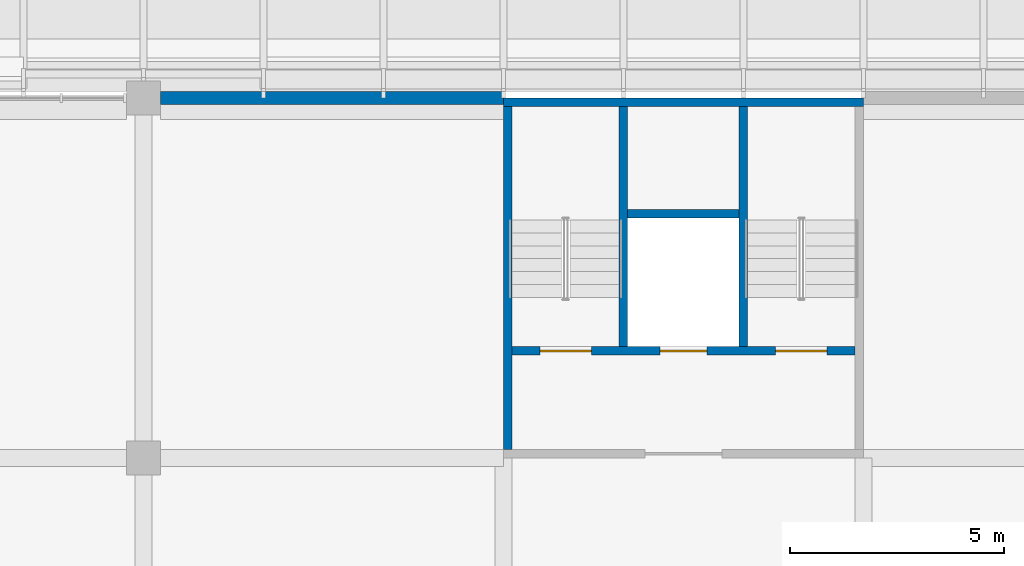
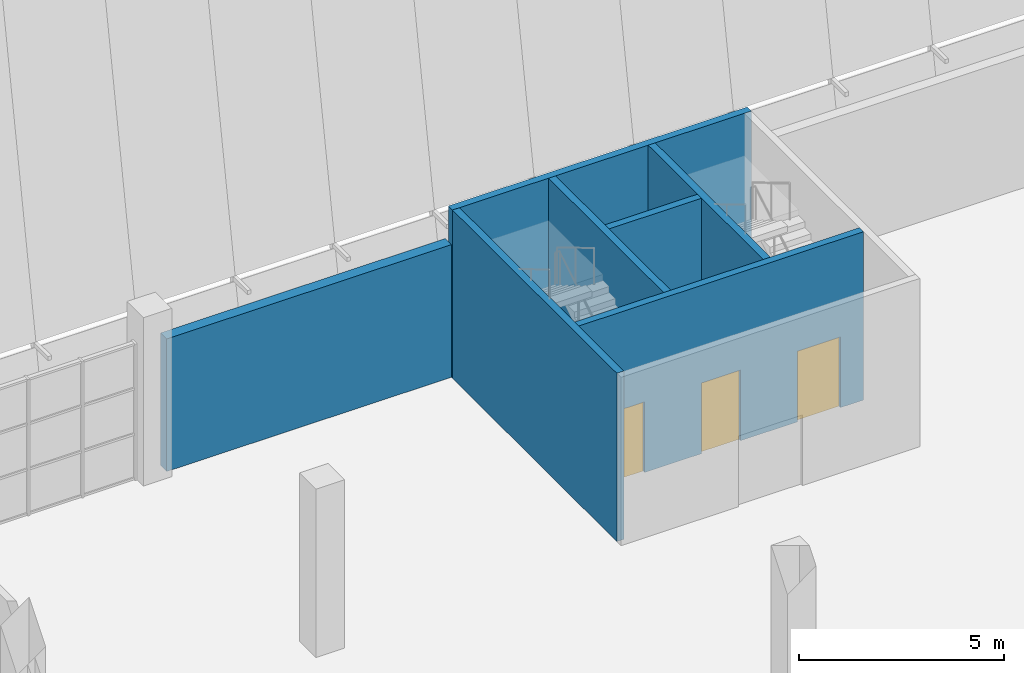
# One storey, part 38 of 101: 7 walls, 3 doors, 3 openings.
"""IFC4 building model written with IfcOpenShell, lengths in metres."""

from ifc_helpers import new_model, si_unit, direction, frame, frame_2d, origin, place, context, subcontext, project, spatial, rectangle, extrude, material, layer, layer_set, type_object, element, fill, save


model = new_model("IFC4")

# Units and contexts
model_context = context("Model", 3, precision=1e-05, world=origin(), true_north=direction((0.0, 1.0)))
body_context = subcontext(model_context, "Body", "Model", "MODEL_VIEW")
ifc_project = project(units=[si_unit("LENGTHUNIT", "METRE"), si_unit("AREAUNIT", "SQUARE_METRE"), si_unit("VOLUMEUNIT", "CUBIC_METRE"), si_unit("PLANEANGLEUNIT", "RADIAN"), si_unit("MASSUNIT", "GRAM", prefix="KILO")], contexts=[model_context])

# Site, building, storey
site_placement = place(None, origin())
site = spatial("IfcSite", under=ifc_project, at=site_placement, CompositionType="ELEMENT")
building_placement = place(site_placement, origin())
building = spatial("IfcBuilding", under=site, at=building_placement, Name="Almond Square Museum", CompositionType="ELEMENT")
storey_placement = place(building_placement, frame((0.0, 0.0, 5.5)))
storey = spatial("IfcBuildingStorey", under=building, at=storey_placement, Name="L01", CompositionType="ELEMENT", Elevation=5.5)

# Walls
ifc_material_1 = material(Name="Concrete C30/37", Category="concrete")
ifc_layer_1 = layer(ifc_material_1, 0.300048828125)
ifc_layer_set_1 = layer_set([ifc_layer_1], Name="Concrete C30/37")
wall_type_1 = type_object("IfcWallType", Name="Cast concrete wall 300 C30/37 behind louvre skin", PredefinedType="SOLIDWALL", material=ifc_layer_set_1)
wall_1_placement = place(storey_placement, frame((115.60009765625, 109.199951171875, 0.0), z_axis=(0.0, 0.0, 1.0), x_axis=(1.0, 0.0, 0.0)))
element("IfcWall", 1, at=wall_1_placement, inside=storey, type_object=wall_type_1, Name="External wall W1 V1 L01 N02", PredefinedType="SOLIDWALL", context=body_context, shape_type="SweptSolid", body=[
    extrude(rectangle(XDim=8.0, YDim=0.300048828125, at=frame_2d((4.0, 0.0))), origin(), (0.0, 0.0, 1.0), 3.93994140625),
])
ifc_material_2 = material(Name="Concrete C40/50", Category="concrete")
ifc_layer_2 = layer(ifc_material_2, 0.199951171875)
ifc_layer_set_2 = layer_set([ifc_layer_2], Name="Concrete C40/50")
wall_type_2 = type_object("IfcWallType", Name="RC shear wall 200 C40/50", PredefinedType="SHEAR", material=ifc_layer_set_2)
wall_2_placement = place(storey_placement, frame((123.60009765625, 109.10009765625, 0.0), z_axis=(0.0, 0.0, 1.0), x_axis=(1.0, 0.0, 0.0)))
element("IfcWall", 2, at=wall_2_placement, inside=storey, type_object=wall_type_2, Name="Core H4 north wall L01", PredefinedType="SHEAR", context=body_context, shape_type="SweptSolid", body=[
    extrude(rectangle(XDim=8.39990234375, YDim=0.199951171875, at=frame_2d((4.199951171875, 0.0))), origin(), (0.0, 0.0, 1.0), 5.0),
])
wall_3_placement = place(storey_placement, frame((123.699951171875, 101.0, 0.0), z_axis=(0.0, 0.0, 1.0), x_axis=(0.0, 1.0, 0.0)))
element("IfcWall", 3, at=wall_3_placement, inside=storey, type_object=wall_type_2, Name="Core H4 west wall L01", PredefinedType="SHEAR", context=body_context, shape_type="SweptSolid", body=[
    extrude(rectangle(XDim=8.0, YDim=0.199951171875, at=frame_2d((4.0, 0.0))), origin(), (0.0, 0.0, 1.0), 5.0),
])

# Wall, openings, doors
wall_4_placement = place(storey_placement, frame((123.800048828125, 103.300048828125, 0.0), z_axis=(0.0, 0.0, 1.0), x_axis=(1.0, 0.0, 0.0)))
wall_4 = element("IfcWall", 4, at=wall_4_placement, inside=storey, type_object=wall_type_2, Name="Core H4 lobby wall L01", PredefinedType="SHEAR", context=body_context, shape_type="SweptSolid", body=[
    extrude(rectangle(XDim=8.0, YDim=0.199951171875, at=frame_2d((4.0, 0.0))), origin(), (0.0, 0.0, 1.0), 5.0),
])
opening_1_placement = place(wall_4_placement, frame((0.64990234375, 0.0, 0.0)))
opening_1 = element("IfcOpeningElement", 5, at=opening_1_placement, cuts=wall_4, Name="Opening D1162", PredefinedType="OPENING", context=body_context, shape_type="SweptSolid", body=[
    extrude(rectangle(XDim=1.199951171875, YDim=2.10009765625, at=frame_2d((0.60009765625, 1.050048828125))), frame((0.0, 0.10986328125, 0.0), z_axis=(0.0, -1.0, 0.0), x_axis=(1.0, 0.0, 0.0)), (0.0, 0.0, 1.0), 0.219970703125),
])
opening_2_placement = place(wall_4_placement, frame((6.14990234375, 0.0, 0.0)))
opening_2 = element("IfcOpeningElement", 6, at=opening_2_placement, cuts=wall_4, Name="Opening D1163", PredefinedType="OPENING", context=body_context, shape_type="SweptSolid", body=[
    extrude(rectangle(XDim=1.199951171875, YDim=2.10009765625, at=frame_2d((0.60009765625, 1.050048828125))), frame((0.0, 0.10986328125, 0.0), z_axis=(0.0, -1.0, 0.0), x_axis=(1.0, 0.0, 0.0)), (0.0, 0.0, 1.0), 0.219970703125),
])
opening_3_placement = place(wall_4_placement, frame((3.449951171875, 0.0, 0.0)))
opening_3 = element("IfcOpeningElement", 7, at=opening_3_placement, cuts=wall_4, Name="Opening D1164", PredefinedType="OPENING", context=body_context, shape_type="SweptSolid", body=[
    extrude(rectangle(XDim=1.10009765625, YDim=2.10009765625, at=frame_2d((0.550048828125, 1.050048828125))), frame((0.0, 0.10986328125, 0.0), z_axis=(0.0, -1.0, 0.0), x_axis=(1.0, 0.0, 0.0)), (0.0, 0.0, 1.0), 0.219970703125),
])
ifc_material_3 = material(Name="Steel", Category="steel")
door_type_1 = type_object("IfcDoorType", Name="Fire door 1200 x 2100 FD120 stair", OperationType="NOTDEFINED", PredefinedType="DOOR", material=ifc_material_3)
door_1_placement = place(opening_1_placement, origin())
door_1 = element("IfcDoor", 8, at=door_1_placement, inside=storey, type_object=door_type_1, Name="L01 stair H4-1 door", OperationType="SINGLE_SWING_LEFT", OverallHeight=2.10009765625, OverallWidth=1.199951171875, PredefinedType="DOOR", context=body_context, shape_type="SweptSolid", body=[
    extrude(rectangle(XDim=1.199951171875, YDim=2.10009765625, at=frame_2d((0.60009765625, 1.050048828125))), frame((0.0, 0.02490234375, 0.0), z_axis=(0.0, -1.0, 0.0), x_axis=(1.0, 0.0, 0.0)), (0.0, 0.0, 1.0), 0.050048828125),
])
fill(opening_1, door_1)
door_2_placement = place(opening_2_placement, origin())
door_2 = element("IfcDoor", 9, at=door_2_placement, inside=storey, type_object=door_type_1, Name="L01 stair H4-2 door", OperationType="SINGLE_SWING_RIGHT", OverallHeight=2.10009765625, OverallWidth=1.199951171875, PredefinedType="DOOR", context=body_context, shape_type="SweptSolid", body=[
    extrude(rectangle(XDim=1.199951171875, YDim=2.10009765625, at=frame_2d((0.60009765625, 1.050048828125))), frame((0.0, 0.02490234375, 0.0), z_axis=(0.0, -1.0, 0.0), x_axis=(1.0, 0.0, 0.0)), (0.0, 0.0, 1.0), 0.050048828125),
])
fill(opening_2, door_2)
ifc_material_4 = material(Name="Stainless steel", Category="steel")
door_type_2 = type_object("IfcDoorType", Name="Lift landing door 1100 x 2100", OperationType="NOTDEFINED", PredefinedType="DOOR", material=ifc_material_4)
door_3_placement = place(opening_3_placement, origin())
door_3 = element("IfcDoor", 10, at=door_3_placement, inside=storey, type_object=door_type_2, Name="L01 lift PL-H4 landing door", OperationType="DOUBLE_DOOR_SLIDING", OverallHeight=2.10009765625, OverallWidth=1.10009765625, PredefinedType="DOOR", context=body_context, shape_type="SweptSolid", body=[
    extrude(rectangle(XDim=1.10009765625, YDim=2.10009765625, at=frame_2d((0.550048828125, 1.050048828125))), frame((0.0, 0.02490234375, 0.0), z_axis=(0.0, -1.0, 0.0), x_axis=(1.0, 0.0, 0.0)), (0.0, 0.0, 1.0), 0.050048828125),
])
fill(opening_3, door_3)

# Walls
for number, where, z_axis, x_axis, name in (
    (11, (126.39990234375, 103.39990234375, 0.0), (0.0, 0.0, 1.0), (0.0, 1.0, 0.0), "Core H4 partition wall L01"),
    (12, (129.199951171875, 103.39990234375, 0.0), (0.0, 0.0, 1.0), (0.0, 1.0, 0.0), "Core H4 partition wall L01"),
):
    element("IfcWall", number, at=place(storey_placement, frame(where, z_axis=z_axis, x_axis=x_axis)), inside=storey, type_object=wall_type_2, Name=name, PredefinedType="SHEAR", context=body_context, shape_type="SweptSolid", body=[
        extrude(rectangle(XDim=5.60009765625, YDim=0.199951171875, at=frame_2d((2.800048828125, 0.0))), origin(), (0.0, 0.0, 1.0), 5.0),
    ])
wall_5_placement = place(storey_placement, frame((126.5, 106.5, 0.0), z_axis=(0.0, 0.0, 1.0), x_axis=(1.0, 0.0, 0.0)))
element("IfcWall", 13, at=wall_5_placement, inside=storey, type_object=wall_type_2, Name="Core H4 partition wall L01", PredefinedType="SHEAR", context=body_context, shape_type="SweptSolid", body=[
    extrude(rectangle(XDim=2.60009765625, YDim=0.199951171875, at=frame_2d((1.300048828125, 0.0))), origin(), (0.0, 0.0, 1.0), 5.0),
])

save(model, "model.ifc")
